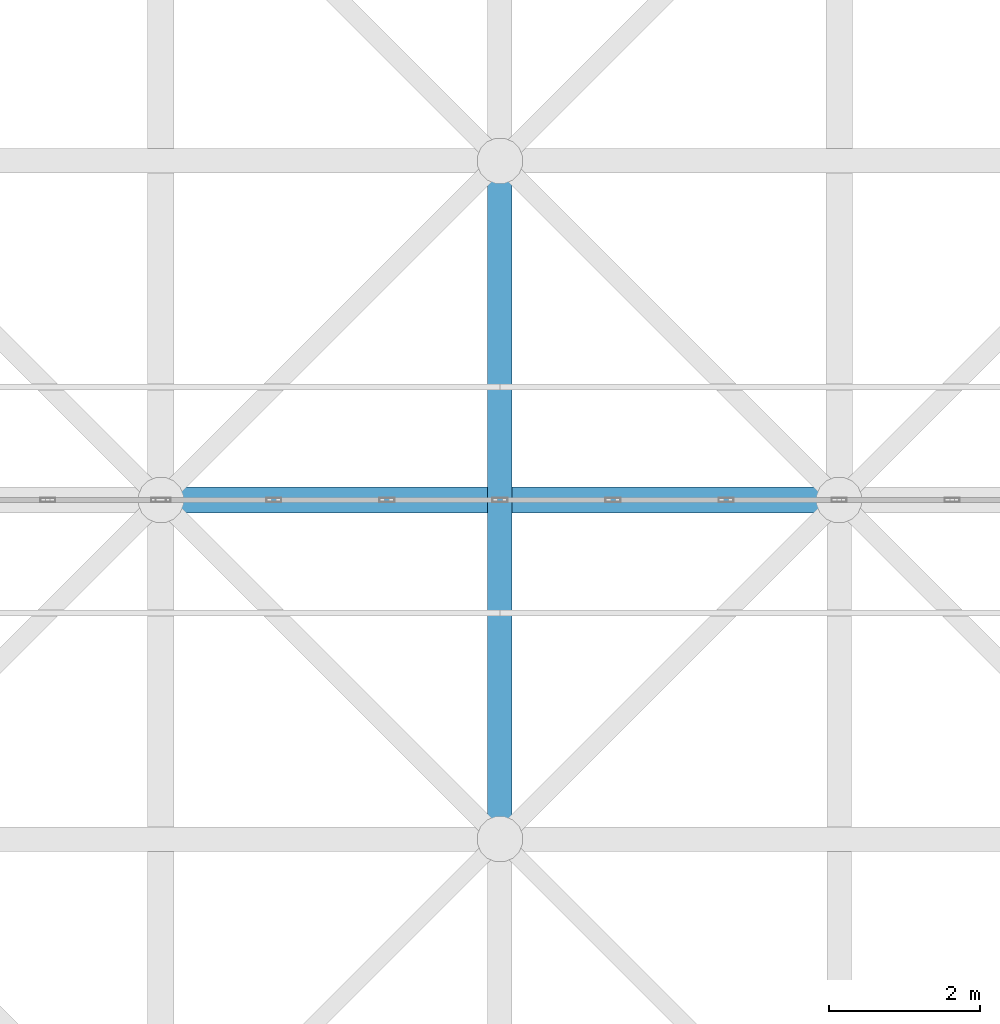
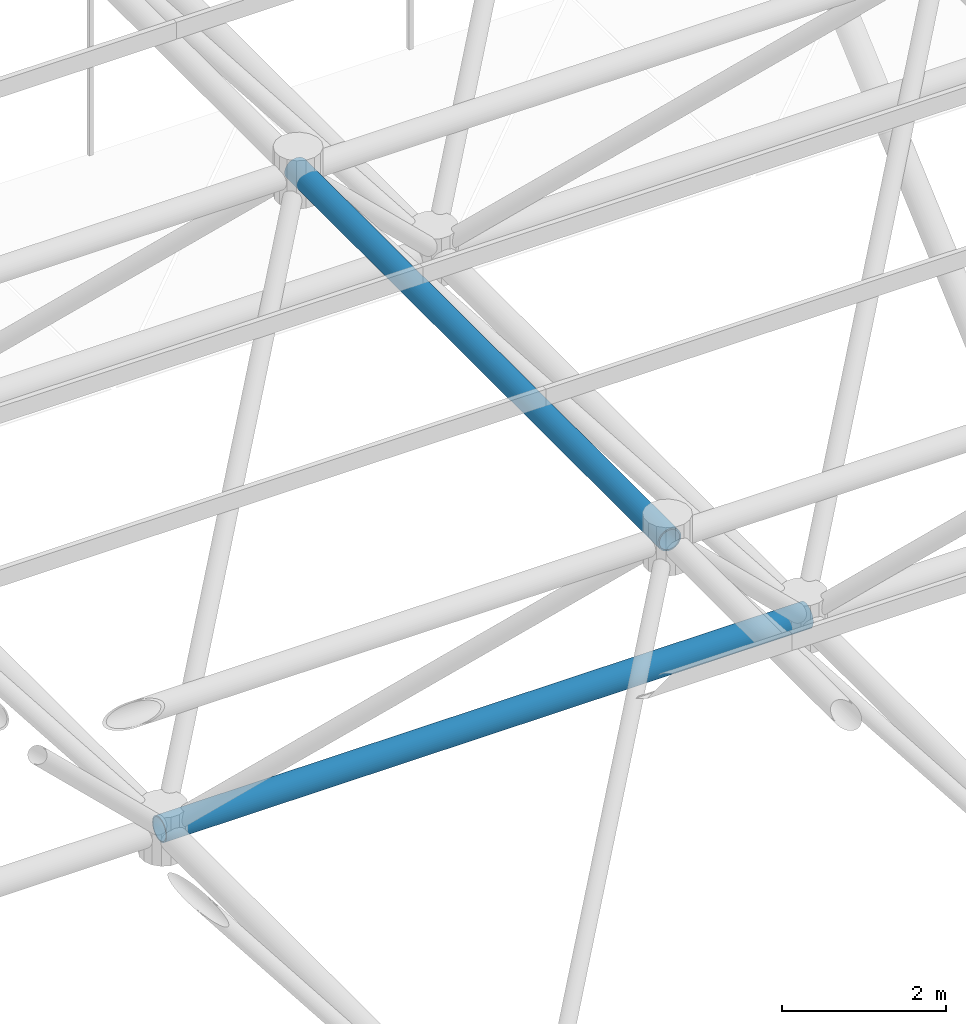
# One storey, part 169 of 437: 2 members.
"""IFC4 building model written with IfcOpenShell, lengths in metres."""

from ifc_helpers import new_model, si_unit, direction, frame, origin, origin_2d, place, context, subcontext, project, spatial, hollow_circle, extrude, material, material_profile, profile_set, type_object, element, save


model = new_model("IFC4")

# Units and contexts
model_context = context("Model", 3, precision=1e-05, world=origin(), true_north=direction((0.0, 1.0)))
body_context = subcontext(model_context, "Body", "Model", "MODEL_VIEW")
ifc_project = project(units=[si_unit("LENGTHUNIT", "METRE"), si_unit("AREAUNIT", "SQUARE_METRE"), si_unit("VOLUMEUNIT", "CUBIC_METRE"), si_unit("PLANEANGLEUNIT", "RADIAN"), si_unit("MASSUNIT", "GRAM", prefix="KILO")], contexts=[model_context])

# Site, building, storey
site_placement = place(None, origin())
site = spatial("IfcSite", under=ifc_project, at=site_placement, CompositionType="ELEMENT")
building_placement = place(site_placement, origin())
building = spatial("IfcBuilding", under=site, at=building_placement, Name="Opaline Strait Convention Centre", CompositionType="ELEMENT")
storey_placement = place(building_placement, frame((0.0, 0.0, 11.5)))
storey = spatial("IfcBuildingStorey", under=building, at=storey_placement, Name="L02", CompositionType="ELEMENT", Elevation=11.5)

# Members
ifc_material = material(Name="Steel Q355B", Category="steel")
ifc_material_profile_1 = material_profile(ifc_material, hollow_circle(Radius=0.175537109375, WallThickness=0.01611328125, at=origin_2d()), Name="CHS 351x16")
ifc_profile_set_1 = profile_set([ifc_material_profile_1], Name="Steel Q355B")
member_type_1 = type_object("IfcMemberType", Name="Space frame bottom chord CHS 351x16", PredefinedType="CHORD", material=ifc_profile_set_1)
member_1_placement = place(storey_placement, frame((170.949951171875, 144.0, 12.5), z_axis=(1.0, 0.0, 0.0), x_axis=(0.0, 1.0, 0.0)))
element("IfcMember", 1, at=member_1_placement, inside=storey, type_object=member_type_1, Name="EXB-RF-BX-9-11", PredefinedType="CHORD", context=body_context, shape_type="SweptSolid", body=[
    extrude(hollow_circle(Radius=0.175537109375, WallThickness=0.01611328125, at=origin_2d()), origin(), (0.0, 0.0, 1.0), 9.10009765625),
])
ifc_material_profile_2 = material_profile(ifc_material, hollow_circle(Radius=0.16259765625, WallThickness=0.02001953125, at=origin_2d()), Name="CHS 325x20")
ifc_profile_set_2 = profile_set([ifc_material_profile_2], Name="Steel Q355B")
member_type_2 = type_object("IfcMemberType", Name="Space frame top chord CHS 325x20", PredefinedType="CHORD", material=ifc_profile_set_2)
member_2_placement = place(storey_placement, frame((175.5, 139.449951171875, 17.971435546875), z_axis=(0.0, 1.0, 0.0), x_axis=(-1.0, 0.0, 0.0)))
element("IfcMember", 2, at=member_2_placement, inside=storey, type_object=member_type_2, Name="EXB-RF-TY-10-11", PredefinedType="CHORD", context=body_context, shape_type="SweptSolid", body=[
    extrude(hollow_circle(Radius=0.16259765625, WallThickness=0.02001953125, at=origin_2d()), origin(), (0.0, 0.0, 1.0), 9.10009765625),
])

save(model, "model.ifc")
